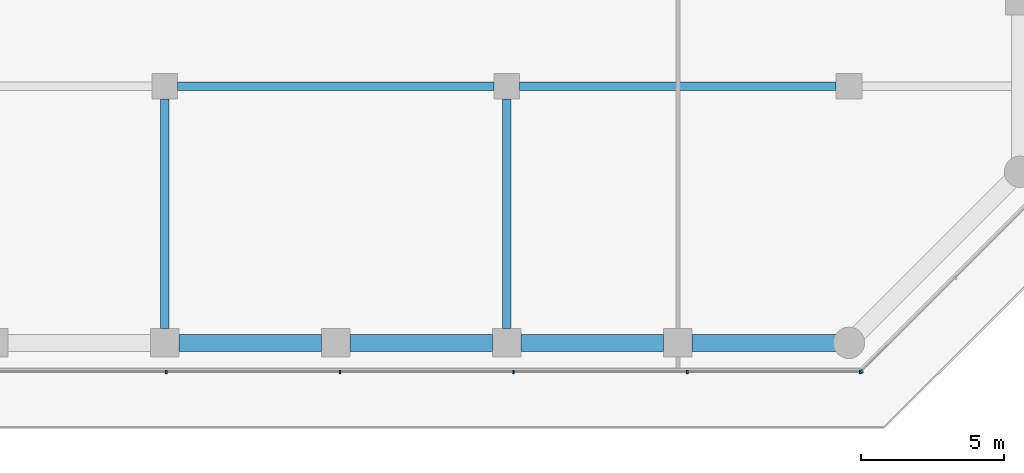
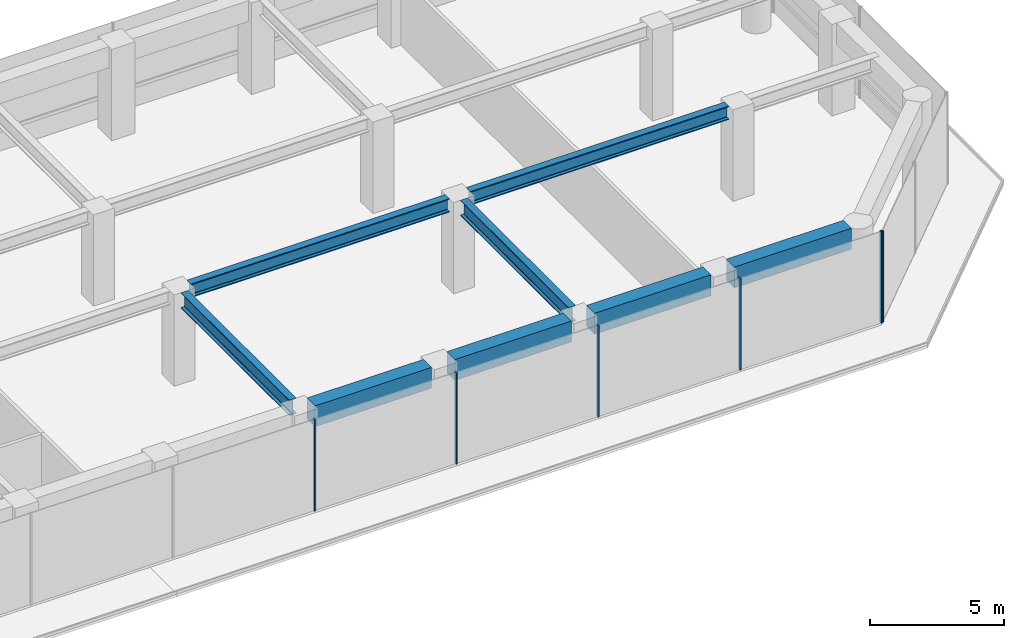
# One storey, part 7 of 24: 8 beams, 6 members, 2 elements without a shape of their own.
"""IFC4 building model written with IfcOpenShell, lengths in metres."""

from ifc_helpers import new_model, si_unit, direction, frame, origin, origin_2d, place, context, subcontext, project, spatial, rectangle, i_section, extrude, material, layer, layer_set, material_profile, profile_set, type_object, element, aggregate, save


model = new_model("IFC4")

# Units and contexts
model_context = context("Model", 3, precision=1e-05, world=origin(), true_north=direction((0.0, 1.0)))
body_context = subcontext(model_context, "Body", "Model", "MODEL_VIEW")
ifc_project = project(units=[si_unit("LENGTHUNIT", "METRE"), si_unit("AREAUNIT", "SQUARE_METRE"), si_unit("VOLUMEUNIT", "CUBIC_METRE"), si_unit("PLANEANGLEUNIT", "RADIAN"), si_unit("MASSUNIT", "GRAM", prefix="KILO")], contexts=[model_context])

# Site, building, storey
site_placement = place(None, origin())
site = spatial("IfcSite", under=ifc_project, at=site_placement, CompositionType="ELEMENT")
building_placement = place(site_placement, origin())
building = spatial("IfcBuilding", under=site, at=building_placement, Name="Welwitschia Terrace Campus", CompositionType="ELEMENT")
storey_placement = place(building_placement, frame((0.0, 0.0, 20.0)))
storey = spatial("IfcBuildingStorey", under=building, at=storey_placement, Name="L04", CompositionType="ELEMENT", Elevation=20.0)

# Beams
ifc_material_1 = material(Name="Steel S355", Category="steel")
ifc_material_profile_1 = material_profile(ifc_material_1, i_section(OverallWidth=0.304931640625, OverallDepth=0.6201171875, WebThickness=0.02099609375, FlangeThickness=0.0400390625, FilletRadius=0.027099609375, at=origin_2d()))
ifc_profile_set_1 = profile_set([ifc_material_profile_1], Name="Steel S355")
beam_type_1 = type_object("IfcBeamType", Name="Interior girder HE 600 M", PredefinedType="BEAM", material=ifc_profile_set_1)
for number, where, z_axis, x_axis, name in (
    (1, (36.450439453125, 5.0, 3.840087890625), (1.0, 0.0, 0.0), (0.0, 1.0, 0.0), "Girder GB1"),
    (2, (48.450439453125, 5.0, 3.840087890625), (1.0, 0.0, 0.0), (0.0, 1.0, 0.0), "Girder GB1"),
):
    element("IfcBeam", number, at=place(storey_placement, frame(where, z_axis=z_axis, x_axis=x_axis)), inside=storey, type_object=beam_type_1, Name=name, PredefinedType="BEAM", context=body_context, shape_type="SweptSolid", body=[
        extrude(i_section(OverallWidth=0.304931640625, OverallDepth=0.6201171875, WebThickness=0.02099609375, FlangeThickness=0.0400390625, FilletRadius=0.027099609375, at=origin_2d()), origin(), (0.0, 0.0, 1.0), 11.09912109375),
    ])

# Curtain wall, members
ifc_material_2 = material(Name="Bronze anodised aluminium", Category="aluminium")
ifc_layer = layer(ifc_material_2, 0.1201171875)
ifc_layer_set = layer_set([ifc_layer], Name="Bronze anodised aluminium")
curtain_wall_type = type_object("IfcCurtainWallType", Name="Curtain wall CW2 tower 6000", PredefinedType="NOTDEFINED", material=ifc_layer_set)
curtain_wall_1_placement = place(storey_placement, origin())
curtain_wall_1 = element("IfcCurtainWall", 3, at=curtain_wall_1_placement, inside=storey, type_object=curtain_wall_type, Name="CW L04.1.0", PredefinedType="NOTDEFINED")
ifc_material_3 = material(Name="Bronze anodised aluminium", Category="aluminium")
ifc_material_profile_2 = material_profile(ifc_material_3, rectangle(XDim=0.1201171875, YDim=0.06005859375, at=origin_2d()))
ifc_profile_set_2 = profile_set([ifc_material_profile_2], Name="Bronze anodised aluminium")
member_type = type_object("IfcMemberType", Name="Mullion 60x120", PredefinedType="MULLION", material=ifc_profile_set_2)
member_1_placement = place(storey_placement, frame((36.046875, -5.02001953125, 0.0), z_axis=(0.0, 0.0, 1.0), x_axis=(0.0, 1.0, 0.0)))
member_1 = element("IfcMember", 4, at=member_1_placement, type_object=member_type, Name="Mullion L04.1.0.5", PredefinedType="MULLION", context=body_context, shape_type="SweptSolid", body=[
    extrude(rectangle(XDim=0.1201171875, YDim=0.06005859375, at=origin_2d()), origin(), (0.0, 0.0, 1.0), 4.14990234375),
])
member_2_placement = place(storey_placement, frame((42.140869140625, -5.02001953125, 0.0), z_axis=(0.0, 0.0, 1.0), x_axis=(0.0, 1.0, 0.0)))
member_2 = element("IfcMember", 5, at=member_2_placement, type_object=member_type, Name="Mullion L04.1.0.6", PredefinedType="MULLION", context=body_context, shape_type="SweptSolid", body=[
    extrude(rectangle(XDim=0.1201171875, YDim=0.06005859375, at=origin_2d()), origin(), (0.0, 0.0, 1.0), 4.14990234375),
])
member_3_placement = place(storey_placement, frame((48.234619140625, -5.02001953125, 0.0), z_axis=(0.0, 0.0, 1.0), x_axis=(0.0, 1.0, 0.0)))
member_3 = element("IfcMember", 6, at=member_3_placement, type_object=member_type, Name="Mullion L04.1.0.7", PredefinedType="MULLION", context=body_context, shape_type="SweptSolid", body=[
    extrude(rectangle(XDim=0.1201171875, YDim=0.06005859375, at=origin_2d()), origin(), (0.0, 0.0, 1.0), 4.14990234375),
])
member_4_placement = place(storey_placement, frame((54.32861328125, -5.02001953125, 0.0), z_axis=(0.0, 0.0, 1.0), x_axis=(0.0, 1.0, 0.0)))
member_4 = element("IfcMember", 7, at=member_4_placement, type_object=member_type, Name="Mullion L04.1.0.8", PredefinedType="MULLION", context=body_context, shape_type="SweptSolid", body=[
    extrude(rectangle(XDim=0.1201171875, YDim=0.06005859375, at=origin_2d()), origin(), (0.0, 0.0, 1.0), 4.14990234375),
])
member_5_placement = place(storey_placement, frame((60.392578125, -5.02001953125, 0.0), z_axis=(0.0, 0.0, 1.0), x_axis=(0.0, 1.0, 0.0)))
member_5 = element("IfcMember", 8, at=member_5_placement, type_object=member_type, Name="Mullion L04.1.0.9", PredefinedType="MULLION", context=body_context, shape_type="SweptSolid", body=[
    extrude(rectangle(XDim=0.1201171875, YDim=0.06005859375, at=origin_2d()), origin(), (0.0, 0.0, 1.0), 4.14990234375),
])
aggregate(curtain_wall_1, [member_1, member_2, member_3, member_4, member_5])

# Curtain wall, member
curtain_wall_2_placement = place(storey_placement, origin())
curtain_wall_2 = element("IfcCurtainWall", 9, at=curtain_wall_2_placement, inside=storey, type_object=curtain_wall_type, Name="CW L04.2.0", PredefinedType="NOTDEFINED")
member_6_placement = place(storey_placement, frame((60.443603515625, -4.998779296875, 0.0), z_axis=(0.0, 0.0, 1.0), x_axis=(-0.707106781187, 0.707106781187, 0.0)))
member_6 = element("IfcMember", 10, at=member_6_placement, type_object=member_type, Name="Mullion L04.2.0.0", PredefinedType="MULLION", context=body_context, shape_type="SweptSolid", body=[
    extrude(rectangle(XDim=0.1201171875, YDim=0.06005859375, at=origin_2d()), origin(), (0.0, 0.0, 1.0), 4.14990234375),
])
aggregate(curtain_wall_2, [member_6])

# Beams
ifc_material_4 = material(Name="Steel S355", Category="steel")
ifc_material_profile_3 = material_profile(ifc_material_4, i_section(OverallWidth=0.300048828125, OverallDepth=0.699951171875, WebThickness=0.01708984375, FlangeThickness=0.031982421875, FilletRadius=0.027099609375, at=origin_2d()))
ifc_profile_set_3 = profile_set([ifc_material_profile_3], Name="Steel S355")
beam_type_2 = type_object("IfcBeamType", Name="Primary beam HE 700 B", PredefinedType="BEAM", material=ifc_profile_set_3)
for number, where, z_axis, x_axis, name in (
    (11, (36.0, -3.49951171875, 3.800048828125), (0.0, 1.0, 0.0), (-1.0, 0.0, 0.0), "Primary beam PB1"),
    (12, (48.0, -3.49951171875, 3.800048828125), (0.0, 1.0, 0.0), (-1.0, 0.0, 0.0), "Primary beam PB1"),
):
    element("IfcBeam", number, at=place(storey_placement, frame(where, z_axis=z_axis, x_axis=x_axis)), inside=storey, type_object=beam_type_2, Name=name, PredefinedType="BEAM", context=body_context, shape_type="SweptSolid", body=[
        extrude(i_section(OverallWidth=0.300048828125, OverallDepth=0.699951171875, WebThickness=0.01708984375, FlangeThickness=0.031982421875, FilletRadius=0.027099609375, at=origin_2d()), origin(), (0.0, 0.0, 1.0), 8.049072265625),
    ])
ifc_material_5 = material(Name="Concrete C60/75", Category="concrete")
ifc_material_profile_4 = material_profile(ifc_material_5, rectangle(XDim=0.60009765625, YDim=0.949951171875, at=origin_2d()))
ifc_profile_set_4 = profile_set([ifc_material_profile_4], Name="Concrete C60/75")
beam_type_3 = type_object("IfcBeamType", Name="Ring spandrel 600x950", PredefinedType="SPANDREL", material=ifc_profile_set_4)
for number, where, z_axis, x_axis, name in (
    (13, (36.50048828125, -4.0, 3.675048828125), (1.0, 0.0, 0.0), (0.0, 1.0, 0.0), "Spandrel SP1"),
    (14, (42.50048828125, -4.0, 3.675048828125), (1.0, 0.0, 0.0), (0.0, 1.0, 0.0), "Spandrel SP1"),
    (15, (48.50048828125, -4.0, 3.675048828125), (1.0, 0.0, 0.0), (0.0, 1.0, 0.0), "Spandrel SP1"),
):
    element("IfcBeam", number, at=place(storey_placement, frame(where, z_axis=z_axis, x_axis=x_axis)), inside=storey, type_object=beam_type_3, Name=name, PredefinedType="SPANDREL", context=body_context, shape_type="SweptSolid", body=[
        extrude(rectangle(XDim=0.60009765625, YDim=0.949951171875, at=origin_2d()), origin(), (0.0, 0.0, 1.0), 4.9990234375),
    ])
beam_placement = place(storey_placement, frame((54.50048828125, -4.0, 3.675048828125), z_axis=(1.0, 0.0, 0.0), x_axis=(0.0, 1.0, 0.0)))
element("IfcBeam", 16, at=beam_placement, inside=storey, type_object=beam_type_3, Name="Spandrel SP1", PredefinedType="SPANDREL", context=body_context, shape_type="SweptSolid", body=[
    extrude(rectangle(XDim=0.60009765625, YDim=0.949951171875, at=origin_2d()), origin(), (0.0, 0.0, 1.0), 5.0380859375),
])

save(model, "model.ifc")
